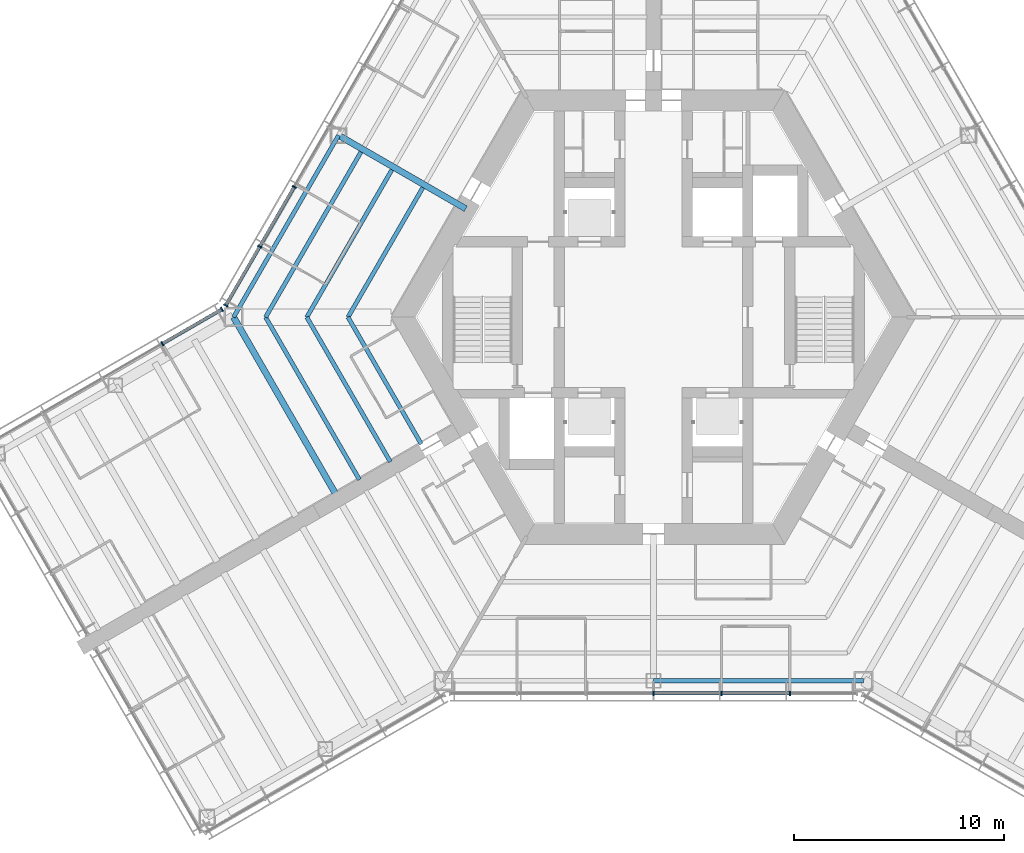
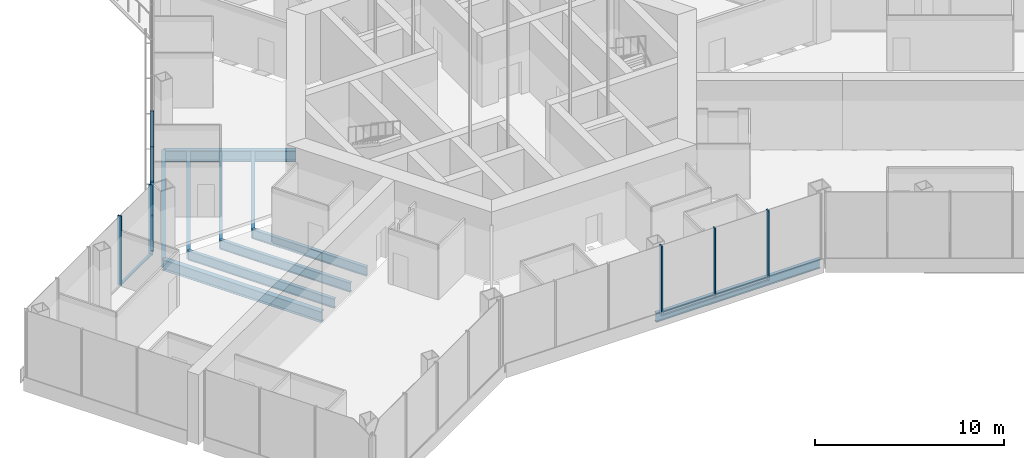
# One storey, part 3 of 18: 13 members, 10 beams, 3 elements without a shape of their own.
"""IFC4 building model written with IfcOpenShell, lengths in metres."""

from ifc_helpers import new_model, si_unit, direction, frame, origin, origin_2d, place, context, subcontext, project, spatial, rectangle, i_section, extrude, material, material_profile, profile_set, type_object, element, aggregate, save


model = new_model("IFC4")

# Units and contexts
model_context = context("Model", 3, precision=1e-05, world=origin(), true_north=direction((0.0, 1.0)))
body_context = subcontext(model_context, "Body", "Model", "MODEL_VIEW")
ifc_project = project(units=[si_unit("LENGTHUNIT", "METRE"), si_unit("AREAUNIT", "SQUARE_METRE"), si_unit("VOLUMEUNIT", "CUBIC_METRE"), si_unit("PLANEANGLEUNIT", "RADIAN"), si_unit("MASSUNIT", "GRAM", prefix="KILO")], contexts=[model_context])

# Site, building, storey
site_placement = place(None, origin())
site = spatial("IfcSite", under=ifc_project, at=site_placement, CompositionType="ELEMENT")
building_placement = place(site_placement, origin())
building = spatial("IfcBuilding", under=site, at=building_placement, Name="Kasaneha Research Tower", CompositionType="ELEMENT")
storey_placement = place(building_placement, frame((0.0, 0.0, 128.60009765625)))
storey = spatial("IfcBuildingStorey", under=building, at=storey_placement, Name="L32", CompositionType="ELEMENT", Elevation=128.60009765625)

# Beams
ifc_material_1 = material(Name="Steel SN490B", Category="steel")
ifc_material_profile_1 = material_profile(ifc_material_1, i_section(OverallWidth=0.199951171875, OverallDepth=0.60009765625, WebThickness=0.010986328125, FlangeThickness=0.01708984375, FilletRadius=0.012939453125, at=origin_2d()), Name="H-600x200x11x17")
ifc_profile_set_1 = profile_set([ifc_material_profile_1], Name="Steel SN490B")
beam_type_1 = type_object("IfcBeamType", Name="B1-4 secondary beam H-600x200x11x17", PredefinedType="JOIST", material=ifc_profile_set_1)
beam_1_placement = place(storey_placement, frame((-14.54931640625, 0.0, -0.5), z_axis=(0.500016104636, 0.866016105569, 0.0), x_axis=(-0.866016105569, 0.500016104636, 0.0)))
element("IfcBeam", 1, at=beam_1_placement, inside=storey, type_object=beam_type_1, Name="Secondary beam RS150R1 L32", PredefinedType="JOIST", context=body_context, shape_type="SweptSolid", body=[
    extrude(i_section(OverallWidth=0.199951171875, OverallDepth=0.60009765625, WebThickness=0.010986328125, FlangeThickness=0.01708984375, FilletRadius=0.012939453125, at=origin_2d()), origin(), (0.0, 0.0, 1.0), 7.124755859375),
])
beam_2_placement = place(storey_placement, frame((-16.51220703125, 0.0, -0.5), z_axis=(0.49999707157, 0.866027094508, 0.0), x_axis=(-0.866027094508, 0.49999707157, 0.0)))
element("IfcBeam", 2, at=beam_2_placement, inside=storey, type_object=beam_type_1, Name="Secondary beam RS150R2 L32", PredefinedType="JOIST", context=body_context, shape_type="SweptSolid", body=[
    extrude(i_section(OverallWidth=0.199951171875, OverallDepth=0.60009765625, WebThickness=0.010986328125, FlangeThickness=0.01708984375, FilletRadius=0.012939453125, at=origin_2d()), origin(), (0.0, 0.0, 1.0), 8.10595703125),
])
beam_3_placement = place(storey_placement, frame((-18.47509765625, 0.0, -0.5), z_axis=(0.499990665392, 0.866030793056, 0.0), x_axis=(-0.866030793056, 0.499990665392, 0.0)))
element("IfcBeam", 3, at=beam_3_placement, inside=storey, type_object=beam_type_1, Name="Secondary beam RS150R3 L32", PredefinedType="JOIST", context=body_context, shape_type="SweptSolid", body=[
    extrude(i_section(OverallWidth=0.199951171875, OverallDepth=0.60009765625, WebThickness=0.010986328125, FlangeThickness=0.01708984375, FilletRadius=0.012939453125, at=origin_2d()), origin(), (0.0, 0.0, 1.0), 9.087646484375),
])
beam_4_placement = place(storey_placement, frame((-14.54931640625, 0.0, -0.5), z_axis=(0.499994145342, -0.866028783947, 0.0), x_axis=(0.866028783947, 0.499994145342, 0.0)))
element("IfcBeam", 4, at=beam_4_placement, inside=storey, type_object=beam_type_1, Name="Secondary beam RS210L1 L32", PredefinedType="JOIST", context=body_context, shape_type="SweptSolid", body=[
    extrude(i_section(OverallWidth=0.199951171875, OverallDepth=0.60009765625, WebThickness=0.010986328125, FlangeThickness=0.01708984375, FilletRadius=0.012939453125, at=origin_2d()), origin(), (0.0, 0.0, 1.0), 6.974609375),
])
beam_5_placement = place(storey_placement, frame((-16.51220703125, 0.0, -0.5), z_axis=(0.50000047647, -0.866025128694, 0.0), x_axis=(0.866025128694, 0.50000047647, 0.0)))
element("IfcBeam", 5, at=beam_5_placement, inside=storey, type_object=beam_type_1, Name="Secondary beam RS210L2 L32", PredefinedType="JOIST", context=body_context, shape_type="SweptSolid", body=[
    extrude(i_section(OverallWidth=0.199951171875, OverallDepth=0.60009765625, WebThickness=0.010986328125, FlangeThickness=0.01708984375, FilletRadius=0.012939453125, at=origin_2d()), origin(), (0.0, 0.0, 1.0), 7.9560546875),
])
beam_6_placement = place(storey_placement, frame((-18.47509765625, 0.0, -0.5), z_axis=(0.49999358888, -0.866029105215, 0.0), x_axis=(0.866029105215, 0.49999358888, 0.0)))
element("IfcBeam", 6, at=beam_6_placement, inside=storey, type_object=beam_type_1, Name="Secondary beam RS210L3 L32", PredefinedType="JOIST", context=body_context, shape_type="SweptSolid", body=[
    extrude(i_section(OverallWidth=0.199951171875, OverallDepth=0.60009765625, WebThickness=0.010986328125, FlangeThickness=0.01708984375, FilletRadius=0.012939453125, at=origin_2d()), origin(), (0.0, 0.0, 1.0), 8.9375),
])

# Curtain wall, members
ifc_material_2 = material(Name="Glass and aluminium", Category="aluminium")
curtain_wall_type = type_object("IfcCurtainWallType", Name="Sky lobby curtain wall", PredefinedType="USERDEFINED", material=ifc_material_2)
curtain_wall_1_placement = place(storey_placement, origin())
curtain_wall_1 = element("IfcCurtainWall", 7, at=curtain_wall_1_placement, inside=storey, type_object=curtain_wall_type, Name="CW-S L32 run 01a", ObjectType="UNITISED CURTAIN WALL", PredefinedType="USERDEFINED")
ifc_material_3 = material(Name="Aluminium 6063-T6", Category="aluminium")
ifc_material_profile_2 = material_profile(ifc_material_3, rectangle(XDim=0.070068359375, YDim=0.219970703125, at=origin_2d()), Name="CW-S mullion 70x220")
ifc_profile_set_2 = profile_set([ifc_material_profile_2], Name="Aluminium 6063-T6")
member_type_1 = type_object("IfcMemberType", Name="CW-S mullion", PredefinedType="MULLION", material=ifc_profile_set_2)
member_1_placement = place(storey_placement, frame((0.0, -17.92041015625, 0.0), z_axis=(0.0, 0.0, 1.0), x_axis=(1.0, 0.0, 0.0)))
member_1 = element("IfcMember", 8, at=member_1_placement, type_object=member_type_1, Name="CW-S mullion 4", PredefinedType="MULLION", context=body_context, shape_type="SweptSolid", body=[
    extrude(rectangle(XDim=0.070068359375, YDim=0.219970703125, at=origin_2d()), origin(), (0.0, 0.0, 1.0), 4.5),
])
member_2_placement = place(storey_placement, frame((3.246337890625, -17.92041015625, 0.0), z_axis=(0.0, 0.0, 1.0), x_axis=(1.0, 0.0, 0.0)))
member_2 = element("IfcMember", 9, at=member_2_placement, type_object=member_type_1, Name="CW-S mullion 5", PredefinedType="MULLION", context=body_context, shape_type="SweptSolid", body=[
    extrude(rectangle(XDim=0.070068359375, YDim=0.219970703125, at=origin_2d()), origin(), (0.0, 0.0, 1.0), 4.5),
])
member_3_placement = place(storey_placement, frame((6.492919921875, -17.92041015625, 0.0), z_axis=(0.0, 0.0, 1.0), x_axis=(1.0, 0.0, 0.0)))
member_3 = element("IfcMember", 10, at=member_3_placement, type_object=member_type_1, Name="CW-S mullion 6", PredefinedType="MULLION", context=body_context, shape_type="SweptSolid", body=[
    extrude(rectangle(XDim=0.070068359375, YDim=0.219970703125, at=origin_2d()), origin(), (0.0, 0.0, 1.0), 4.5),
])

curtain_wall_2_placement = place(storey_placement, origin())
curtain_wall_2 = element("IfcCurtainWall", 11, at=curtain_wall_2_placement, inside=storey, type_object=curtain_wall_type, Name="CW-S L32 run 08a", ObjectType="UNITISED CURTAIN WALL", PredefinedType="USERDEFINED")
member_4_placement = place(storey_placement, frame((-17.111328125, 6.203369140625, 0.0), z_axis=(0.0, 0.0, 1.0), x_axis=(-0.499999979232, -0.866025415775, 0.0)))
member_4 = element("IfcMember", 12, at=member_4_placement, type_object=member_type_1, Name="CW-S mullion 5", PredefinedType="MULLION", context=body_context, shape_type="SweptSolid", body=[
    extrude(rectangle(XDim=0.070068359375, YDim=0.219970703125, at=origin_2d()), origin(), (0.0, 0.0, 1.0), 4.5),
])
member_5_placement = place(storey_placement, frame((-18.750244140625, 3.36474609375, 0.0), z_axis=(0.0, 0.0, 1.0), x_axis=(-0.499999979232, -0.866025415775, 0.0)))
member_5 = element("IfcMember", 13, at=member_5_placement, type_object=member_type_1, Name="CW-S mullion 6", PredefinedType="MULLION", context=body_context, shape_type="SweptSolid", body=[
    extrude(rectangle(XDim=0.070068359375, YDim=0.219970703125, at=origin_2d()), origin(), (0.0, 0.0, 1.0), 4.5),
])
member_6_placement = place(storey_placement, frame((-20.371826171875, 0.55615234375, 0.0), z_axis=(0.0, 0.0, 1.0), x_axis=(-0.499999979232, -0.866025415775, 0.0)))
member_6 = element("IfcMember", 14, at=member_6_placement, type_object=member_type_1, Name="CW-S mullion 7", PredefinedType="MULLION", context=body_context, shape_type="SweptSolid", body=[
    extrude(rectangle(XDim=0.070068359375, YDim=0.219970703125, at=origin_2d()), origin(), (0.0, 0.0, 1.0), 4.5),
])

curtain_wall_3_placement = place(storey_placement, origin())
curtain_wall_3 = element("IfcCurtainWall", 15, at=curtain_wall_3_placement, inside=storey, type_object=curtain_wall_type, Name="CW-S L32 run 09a", ObjectType="UNITISED CURTAIN WALL", PredefinedType="USERDEFINED")
member_7_placement = place(storey_placement, frame((-20.55615234375, 0.371826171875, 0.0), z_axis=(0.0, 0.0, 1.0), x_axis=(-0.866025411464, -0.499999986699, 0.0)))
member_7 = element("IfcMember", 16, at=member_7_placement, type_object=member_type_1, Name="CW-S mullion 1", PredefinedType="MULLION", context=body_context, shape_type="SweptSolid", body=[
    extrude(rectangle(XDim=0.070068359375, YDim=0.219970703125, at=origin_2d()), origin(), (0.0, 0.0, 1.0), 4.5),
])
member_8_placement = place(storey_placement, frame((-23.39208984375, -1.265625, 0.0), z_axis=(0.0, 0.0, 1.0), x_axis=(-0.866025411464, -0.499999986699, 0.0)))
member_8 = element("IfcMember", 17, at=member_8_placement, type_object=member_type_1, Name="CW-S mullion 2", PredefinedType="MULLION", context=body_context, shape_type="SweptSolid", body=[
    extrude(rectangle(XDim=0.070068359375, YDim=0.219970703125, at=origin_2d()), origin(), (0.0, 0.0, 1.0), 4.5),
])

# Member
ifc_material_4 = material(Name="Aluminium 6063-T6", Category="aluminium")
ifc_material_profile_3 = material_profile(ifc_material_4, rectangle(XDim=0.159912109375, YDim=0.070068359375, at=origin_2d()), Name="CW-S transom 160x70")
ifc_profile_set_3 = profile_set([ifc_material_profile_3], Name="Aluminium 6063-T6")
member_type_2 = type_object("IfcMemberType", Name="CW-S transom", PredefinedType="USERDEFINED", material=ifc_profile_set_3)
member_9_placement = place(storey_placement, frame((0.034912109375, -17.92041015625, 0.034912109375), z_axis=(1.0, 0.0, 0.0), x_axis=(0.0, 1.0, 0.0)))
member_9 = element("IfcMember", 18, at=member_9_placement, type_object=member_type_2, Name="CW-S transom 4", ObjectType="TRANSOM", PredefinedType="USERDEFINED", context=body_context, shape_type="SweptSolid", body=[
    extrude(rectangle(XDim=0.159912109375, YDim=0.070068359375, at=origin_2d()), origin(), (0.0, 0.0, 1.0), 3.176513671875),
])

member_10_placement = place(storey_placement, frame((3.281494140625, -17.92041015625, 0.034912109375), z_axis=(1.0, 0.0, 0.0), x_axis=(0.0, 1.0, 0.0)))
member_10 = element("IfcMember", 19, at=member_10_placement, type_object=member_type_2, Name="CW-S transom 5", ObjectType="TRANSOM", PredefinedType="USERDEFINED", context=body_context, shape_type="SweptSolid", body=[
    extrude(rectangle(XDim=0.159912109375, YDim=0.070068359375, at=origin_2d()), origin(), (0.0, 0.0, 1.0), 3.17626953125),
])

aggregate(curtain_wall_1, [member_1, member_2, member_3, member_9, member_10])

member_11_placement = place(storey_placement, frame((-17.128662109375, 6.173095703125, 0.034912109375), z_axis=(-0.500018909665, -0.866014486009, 0.0), x_axis=(0.866014486009, -0.500018909665, 0.0)))
member_11 = element("IfcMember", 20, at=member_11_placement, type_object=member_type_2, Name="CW-S transom 5", ObjectType="TRANSOM", PredefinedType="USERDEFINED", context=body_context, shape_type="SweptSolid", body=[
    extrude(rectangle(XDim=0.159912109375, YDim=0.070068359375, at=origin_2d()), origin(), (0.0, 0.0, 1.0), 3.2080078125),
])

member_12_placement = place(storey_placement, frame((-18.767822265625, 3.334228515625, 0.034912109375), z_axis=(-0.499995540215, -0.866027978627, 0.0), x_axis=(0.866027978627, -0.499995540215, 0.0)))
member_12 = element("IfcMember", 21, at=member_12_placement, type_object=member_type_2, Name="CW-S transom 6", ObjectType="TRANSOM", PredefinedType="USERDEFINED", context=body_context, shape_type="SweptSolid", body=[
    extrude(rectangle(XDim=0.159912109375, YDim=0.070068359375, at=origin_2d()), origin(), (0.0, 0.0, 1.0), 3.1728515625),
])

aggregate(curtain_wall_2, [member_4, member_5, member_6, member_11, member_12])

member_13_placement = place(storey_placement, frame((-20.58642578125, 0.354248046875, 0.034912109375), z_axis=(-0.866002901518, -0.500038973044, 0.0), x_axis=(0.500038973044, -0.866002901518, 0.0)))
member_13 = element("IfcMember", 22, at=member_13_placement, type_object=member_type_2, Name="CW-S transom 1", ObjectType="TRANSOM", PredefinedType="USERDEFINED", context=body_context, shape_type="SweptSolid", body=[
    extrude(rectangle(XDim=0.159912109375, YDim=0.070068359375, at=origin_2d()), origin(), (0.0, 0.0, 1.0), 3.204833984375),
])

aggregate(curtain_wall_3, [member_7, member_8, member_13])

# Beams
ifc_material_5 = material(Name="Steel SN490B", Category="steel")
ifc_material_profile_4 = material_profile(ifc_material_5, i_section(OverallWidth=0.300048828125, OverallDepth=0.69189453125, WebThickness=0.012939453125, FlangeThickness=0.02001953125, FilletRadius=0.01806640625, at=origin_2d()), Name="H-692x300x13x20")
ifc_profile_set_4 = profile_set([ifc_material_profile_4], Name="Steel SN490B")
beam_type_2 = type_object("IfcBeamType", Name="G2-4 radial girder H-692x300x13x20", PredefinedType="BEAM", material=ifc_profile_set_4)
beam_7_placement = place(storey_placement, frame((-8.941650390625, 5.16259765625, -0.546142578125), z_axis=(-0.866039713508, 0.499975214012, 0.0), x_axis=(-0.499975214012, -0.866039713508, 0.0)))
element("IfcBeam", 23, at=beam_7_placement, inside=storey, type_object=beam_type_2, Name="Radial girder RM150 L32", PredefinedType="BEAM", context=body_context, shape_type="SweptSolid", body=[
    extrude(i_section(OverallWidth=0.300048828125, OverallDepth=0.69189453125, WebThickness=0.012939453125, FlangeThickness=0.02001953125, FilletRadius=0.01806640625, at=origin_2d()), origin(), (0.0, 0.0, 1.0), 6.995361328125),
])
ifc_material_6 = material(Name="Steel SN490B", Category="steel")
ifc_material_profile_5 = material_profile(ifc_material_6, i_section(OverallWidth=0.300048828125, OverallDepth=0.69189453125, WebThickness=0.012939453125, FlangeThickness=0.02001953125, FilletRadius=0.01806640625, at=origin_2d()), Name="H-692x300x13x20")
ifc_profile_set_5 = profile_set([ifc_material_profile_5], Name="Steel SN490B")
beam_type_3 = type_object("IfcBeamType", Name="G3-4 plate edge girder H-692x300x13x20", PredefinedType="BEAM", material=ifc_profile_set_5)
beam_8_placement = place(storey_placement, frame((-20.0, 0.0, -0.546142578125), z_axis=(0.500010041276, -0.866019606374, 0.0), x_axis=(0.866019606374, 0.500010041276, 0.0)))
element("IfcBeam", 24, at=beam_8_placement, inside=storey, type_object=beam_type_3, Name="Plate edge girder PEBP L32", PredefinedType="BEAM", context=body_context, shape_type="SweptSolid", body=[
    extrude(i_section(OverallWidth=0.300048828125, OverallDepth=0.69189453125, WebThickness=0.012939453125, FlangeThickness=0.02001953125, FilletRadius=0.01806640625, at=origin_2d()), origin(), (0.0, 0.0, 1.0), 9.699951171875),
])
ifc_material_7 = material(Name="Steel SN490B", Category="steel")
ifc_material_profile_6 = material_profile(ifc_material_7, i_section(OverallWidth=0.198974609375, OverallDepth=0.595947265625, WebThickness=0.010009765625, FlangeThickness=0.014892578125, FilletRadius=0.012939453125, at=origin_2d()), Name="H-596x199x10x15")
ifc_profile_set_6 = profile_set([ifc_material_profile_6], Name="Steel SN490B")
beam_type_4 = type_object("IfcBeamType", Name="SB1-4 spandrel beam H-596x199x10x15", PredefinedType="SPANDREL", material=ifc_profile_set_6)
for number, where, z_axis, x_axis, name in (
    (25, (-20.0, 0.0, -0.498046875), (0.500004234368, 0.866022959057, 0.0), (-0.866022959057, 0.500004234368, 0.0), "Spandrel beam SR150R L32"),
    (26, (10.0, -17.320556640625, -0.498046875), (-1.0, 0.0, 0.0), (0.0, -1.0, 0.0), "Spandrel beam SR270R L32"),
):
    element("IfcBeam", number, at=place(storey_placement, frame(where, z_axis=z_axis, x_axis=x_axis)), inside=storey, type_object=beam_type_4, Name=name, PredefinedType="SPANDREL", context=body_context, shape_type="SweptSolid", body=[
        extrude(i_section(OverallWidth=0.198974609375, OverallDepth=0.595947265625, WebThickness=0.010009765625, FlangeThickness=0.014892578125, FilletRadius=0.012939453125, at=origin_2d()), origin(), (0.0, 0.0, 1.0), 10.0),
    ])

save(model, "model.ifc")
